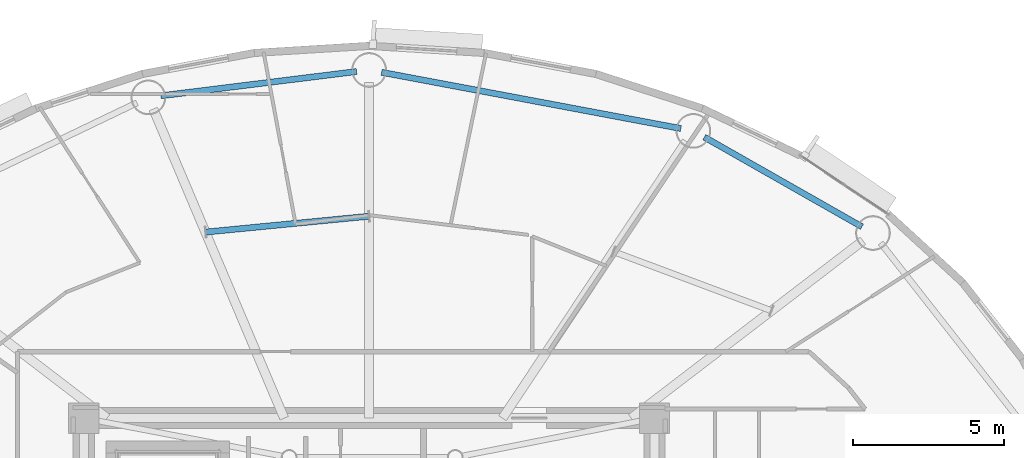
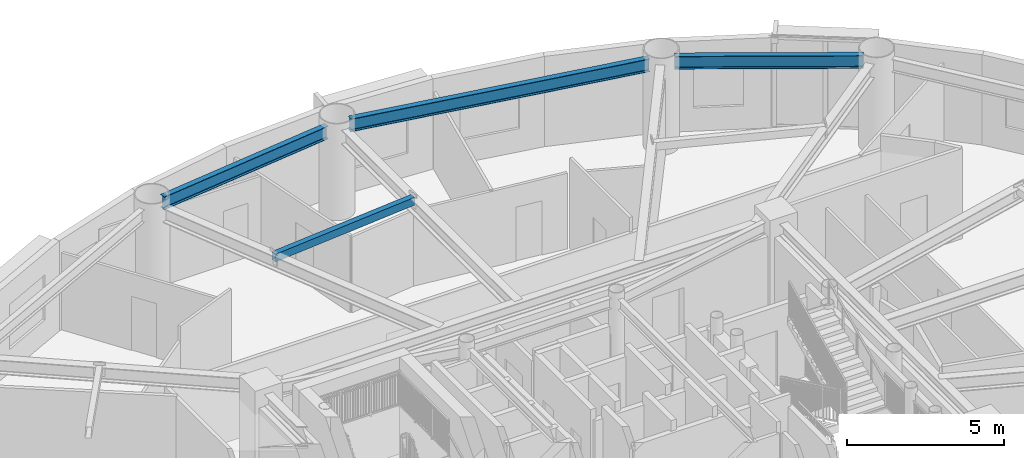
# One storey, part 4 of 21: 4 beams.
"""IFC4 building model written with IfcOpenShell, lengths in metres."""

from ifc_helpers import new_model, si_unit, direction, frame, origin, origin_2d, place, context, subcontext, project, spatial, hollow_rectangle, i_section, extrude, material, material_profile, profile_set, type_object, element, save


model = new_model("IFC4")

# Units and contexts
model_context = context("Model", 3, precision=1e-05, world=origin(), true_north=direction((0.0, 1.0)))
body_context = subcontext(model_context, "Body", "Model", "MODEL_VIEW")
ifc_project = project(units=[si_unit("LENGTHUNIT", "METRE"), si_unit("AREAUNIT", "SQUARE_METRE"), si_unit("VOLUMEUNIT", "CUBIC_METRE"), si_unit("PLANEANGLEUNIT", "RADIAN"), si_unit("MASSUNIT", "GRAM", prefix="KILO")], contexts=[model_context])

# Site, building, storey
site_placement = place(None, origin())
site = spatial("IfcSite", under=ifc_project, at=site_placement, CompositionType="ELEMENT")
building_placement = place(site_placement, origin())
building = spatial("IfcBuilding", under=site, at=building_placement, Name="Linh Dai School and Residence Tower", CompositionType="ELEMENT")
storey_placement = place(building_placement, frame((0.0, 0.0, 251.550048828125)))
storey = spatial("IfcBuildingStorey", under=building, at=storey_placement, Name="L62", CompositionType="ELEMENT", Elevation=251.550048828125)

# Beams
ifc_material = material(Name="Structural Steel S355JR", Category="steel")
ifc_material_profile_1 = material_profile(ifc_material, hollow_rectangle(XDim=0.199951171875, YDim=0.300048828125, WallThickness=0.010009765625, at=origin_2d()), Name="RHS 300x200x10")
ifc_profile_set_1 = profile_set([ifc_material_profile_1], Name="Structural Steel S355JR")
beam_type_1 = type_object("IfcBeamType", Name="BM-BX3", PredefinedType="BEAM", material=ifc_profile_set_1)
beam_1_placement = place(storey_placement, frame((35.9951171875, 40.3369140625, 3.349853515625), z_axis=(-0.99533180868, -0.096512126851, 0.0), x_axis=(0.096512126851, -0.99533180868, 0.0)))
element("IfcBeam", 1, at=beam_1_placement, inside=storey, type_object=beam_type_1, Name="L62 Secondary Circumferential Floor Beam 03", PredefinedType="BEAM", context=body_context, shape_type="SweptSolid", body=[
    extrude(hollow_rectangle(XDim=0.199951171875, YDim=0.300048828125, WallThickness=0.010009765625, at=origin_2d()), origin(), (0.0, 0.0, 1.0), 5.438720703125),
])
ifc_material_profile_2 = material_profile(ifc_material, i_section(OverallWidth=0.199951171875, OverallDepth=0.5, WebThickness=0.01025390625, FlangeThickness=0.01611328125, FilletRadius=0.02099609375, at=origin_2d()), Name="IPE 500")
ifc_profile_set_2 = profile_set([ifc_material_profile_2], Name="Structural Steel S355JR")
beam_type_2 = type_object("IfcBeamType", Name="BM-RB50", PredefinedType="BEAM", material=ifc_profile_set_2)
beam_2_placement = place(storey_placement, frame((52.318115234375, 39.988525390625, 3.25), z_axis=(-0.869297314463, 0.494289570058, 0.0), x_axis=(-0.494289570058, -0.869297314463, 0.0)))
element("IfcBeam", 2, at=beam_2_placement, inside=storey, type_object=beam_type_2, Name="L62 Perimeter Elliptical Ring Beam 03", PredefinedType="BEAM", context=body_context, shape_type="SweptSolid", body=[
    extrude(i_section(OverallWidth=0.199951171875, OverallDepth=0.5, WebThickness=0.01025390625, FlangeThickness=0.01611328125, FilletRadius=0.02099609375, at=origin_2d()), origin(), (0.0, 0.0, 1.0), 6.003173828125),
])
beam_3_placement = place(storey_placement, frame((46.32177734375, 43.240966796875, 3.25), z_axis=(-0.982806607762, 0.184637947722, 0.0), x_axis=(-0.184637947722, -0.982806607762, 0.0)))
element("IfcBeam", 3, at=beam_3_placement, inside=storey, type_object=beam_type_2, Name="L62 Perimeter Elliptical Ring Beam 04", PredefinedType="BEAM", context=body_context, shape_type="SweptSolid", body=[
    extrude(i_section(OverallWidth=0.199951171875, OverallDepth=0.5, WebThickness=0.01025390625, FlangeThickness=0.01611328125, FilletRadius=0.02099609375, at=origin_2d()), origin(), (0.0, 0.0, 1.0), 10.082275390625),
])
beam_4_placement = place(storey_placement, frame((35.583251953125, 45.12841796875, 3.25), z_axis=(-0.992401656104, -0.123040452539, 0.0), x_axis=(0.123040452539, -0.992401656104, 0.0)))
element("IfcBeam", 4, at=beam_4_placement, inside=storey, type_object=beam_type_2, Name="L62 Perimeter Elliptical Ring Beam 05", PredefinedType="BEAM", context=body_context, shape_type="SweptSolid", body=[
    extrude(i_section(OverallWidth=0.199951171875, OverallDepth=0.5, WebThickness=0.01025390625, FlangeThickness=0.01611328125, FilletRadius=0.02099609375, at=origin_2d()), origin(), (0.0, 0.0, 1.0), 6.528076171875),
])

save(model, "model.ifc")
